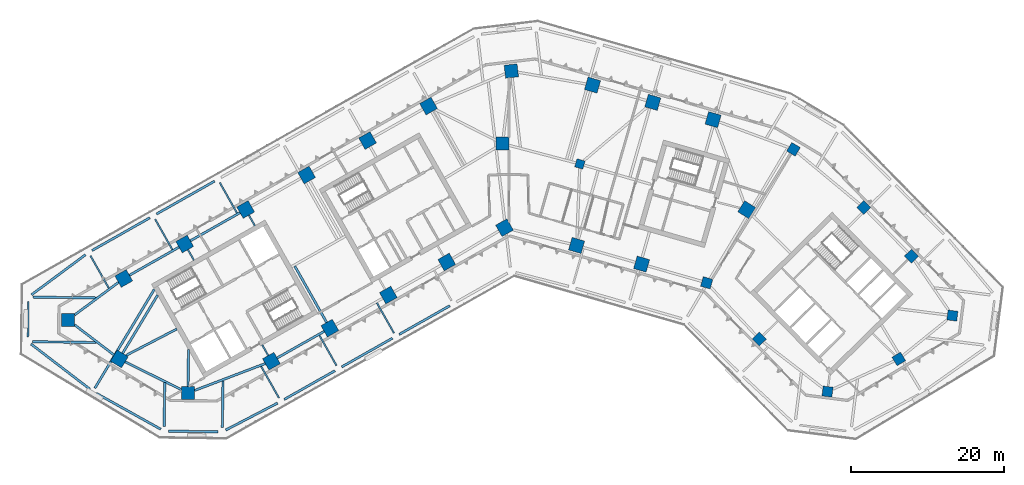
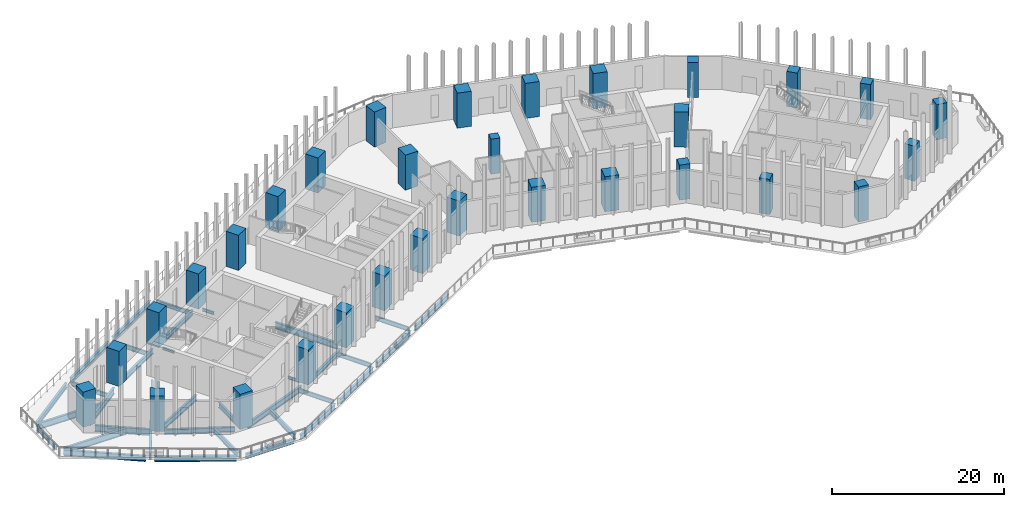
# One storey, part 1 of 17: 36 beams, 31 columns.
"""IFC4 building model written with IfcOpenShell, lengths in metres."""

from ifc_helpers import new_model, si_unit, direction, frame, origin, origin_2d, place, context, subcontext, project, spatial, rectangle, i_section, extrude, material, material_profile, profile_set, type_object, element, save


model = new_model("IFC4")

# Units and contexts
model_context = context("Model", 3, precision=1e-05, world=origin(), true_north=direction((0.0, 1.0)))
body_context = subcontext(model_context, "Body", "Model", "MODEL_VIEW")
ifc_project = project(units=[si_unit("LENGTHUNIT", "METRE"), si_unit("AREAUNIT", "SQUARE_METRE"), si_unit("VOLUMEUNIT", "CUBIC_METRE"), si_unit("PLANEANGLEUNIT", "RADIAN"), si_unit("MASSUNIT", "GRAM", prefix="KILO")], contexts=[model_context])

# Site, building, storey
site_placement = place(None, origin())
site = spatial("IfcSite", under=ifc_project, at=site_placement, CompositionType="ELEMENT")
building_placement = place(site_placement, origin())
building = spatial("IfcBuilding", under=site, at=building_placement, Name="Binnacle Exchange Tower", CompositionType="ELEMENT")
storey_placement = place(building_placement, frame((0.0, 0.0, 26.5)))
storey = spatial("IfcBuildingStorey", under=building, at=storey_placement, Name="L05", CompositionType="ELEMENT", Elevation=26.5)

# Columns
ifc_material_1 = material(Name="Concrete C60/75", Category="concrete")
ifc_material_profile_1 = material_profile(ifc_material_1, rectangle(XDim=1.10009765625, YDim=1.10009765625, at=origin_2d()), Name="Column 1100x1100 C60/75")
ifc_profile_set_1 = profile_set([ifc_material_profile_1], Name="Concrete C60/75")
column_type_1 = type_object("IfcColumnType", Name="Column 1100x1100 C60/75", PredefinedType="COLUMN", material=ifc_profile_set_1)
column_placement = place(storey_placement, frame((9.240966796875, 57.35009765625, 0.0), z_axis=(0.0, 0.0, 1.0), x_axis=(0.961261695938, -0.275637355817, 0.0)))
element("IfcColumn", 1, at=column_placement, inside=storey, type_object=column_type_1, Name="S:COL:C19:L05", PredefinedType="COLUMN", context=body_context, shape_type="SweptSolid", body=[
    extrude(rectangle(XDim=1.10009765625, YDim=1.10009765625, at=origin_2d()), origin(), (0.0, 0.0, 1.0), 5.0),
])
ifc_material_2 = material(Name="Concrete C70/85", Category="concrete")
ifc_material_profile_2 = material_profile(ifc_material_2, rectangle(XDim=1.300048828125, YDim=1.300048828125, at=origin_2d()), Name="Mega column 1300x1300 C70/85")
ifc_profile_set_2 = profile_set([ifc_material_profile_2], Name="Concrete C70/85")
column_type_2 = type_object("IfcColumnType", Name="Mega column 1300x1300 C70/85", PredefinedType="COLUMN", material=ifc_profile_set_2)
for number, where, z_axis, x_axis, name in (
    (2, (37.0849609375, 59.262451171875, 0.0), (0.0, 0.0, 1.0), (-0.859406411501, 0.511293086077, 0.0), "S:COL:MC57:L05"),
    (3, (25.766845703125, 41.85986328125, 0.0), (0.0, 0.0, 1.0), (0.961261695938, -0.275637355817, 0.0), "S:COL:MC56:L05"),
    (4, (32.64111328125, 34.530029296875, 0.0), (0.0, 0.0, 1.0), (0.7009092643, -0.713250449154, 0.0), "S:COL:MC59:L05"),
    (5, (41.519775390625, 27.6748046875, 0.0), (0.0, 0.0, 1.0), (0.99200494968, -0.126198969136, 0.0), "S:COL:MC61:L05"),
    (6, (50.81201171875, 31.930908203125, 0.0), (0.0, 0.0, 1.0), (0.857167300702, 0.51503807491, 0.0), "S:COL:MC63:L05"),
    (7, (57.799072265625, 37.5810546875, 0.0), (0.0, 0.0, 1.0), (0.126198969136, 0.99200494968, 0.0), "S:COL:MC62:L05"),
    (8, (52.466796875, 45.33935546875, 0.0), (0.0, 0.0, 1.0), (-0.7009092643, 0.713250449154, 0.0), "S:COL:MC60:L05"),
    (9, (46.248291015625, 51.667236328125, 0.0), (0.0, 0.0, 1.0), (-0.7009092643, 0.713250449154, 0.0), "S:COL:MC58:L05"),
):
    element("IfcColumn", number, at=place(storey_placement, frame(where, z_axis=z_axis, x_axis=x_axis)), inside=storey, type_object=column_type_2, Name=name, PredefinedType="COLUMN", context=body_context, shape_type="SweptSolid", body=[
        extrude(rectangle(XDim=1.300048828125, YDim=1.300048828125, at=origin_2d()), origin(), (0.0, 0.0, 1.0), 5.0),
    ])
ifc_material_profile_3 = material_profile(ifc_material_2, rectangle(XDim=1.699951171875, YDim=1.699951171875, at=origin_2d()), Name="Mega column 1700x1700 C70/85")
ifc_profile_set_3 = profile_set([ifc_material_profile_3], Name="Concrete C70/85")
column_type_3 = type_object("IfcColumnType", Name="Mega column 1700x1700 C70/85", PredefinedType="COLUMN", material=ifc_profile_set_3)
for number, where, z_axis, x_axis, name in (
    (10, (26.602783203125, 63.12353515625, 0.0), (0.0, 0.0, 1.0), (-0.961261695938, 0.275637355817, 0.0), "S:COL:MC52:L05"),
    (11, (18.746337890625, 65.376220703125, 0.0), (0.0, 0.0, 1.0), (-0.961261695938, 0.275637355817, 0.0), "S:COL:MC50:L05"),
    (12, (10.889892578125, 67.62890625, 0.0), (0.0, 0.0, 1.0), (-0.961261695938, 0.275637355817, 0.0), "S:COL:MC48:L05"),
    (13, (0.300048828125, 69.464111328125, 0.0), (0.0, 0.0, 1.0), (-0.993068456955, -0.117537397458, 0.0), "S:COL:MC47:L05"),
    (14, (-10.4951171875, 64.901611328125, 0.0), (0.0, 0.0, 1.0), (-0.87035569594, -0.492423560103, 0.0), "S:COL:MC38:L05"),
    (15, (-18.44140625, 60.406005859375, 0.0), (0.0, 0.0, 1.0), (-0.87035569594, -0.492423560103, 0.0), "S:COL:MC29:L05"),
    (16, (-26.3876953125, 55.91015625, 0.0), (0.0, 0.0, 1.0), (-0.87035569594, -0.492423560103, 0.0), "S:COL:MC21:L05"),
    (17, (-34.333740234375, 51.414306640625, 0.0), (0.0, 0.0, 1.0), (-0.87035569594, -0.492423560103, 0.0), "S:COL:MC13:L05"),
    (18, (-42.280029296875, 46.918701171875, 0.0), (0.0, 0.0, 1.0), (-0.87035569594, -0.492423560103, 0.0), "S:COL:MC08:L05"),
    (19, (-50.226318359375, 42.4228515625, 0.0), (0.0, 0.0, 1.0), (-0.87035569594, -0.492423560103, 0.0), "S:COL:MC04:L05"),
    (20, (-57.492919921875, 37.02734375, 0.0), (0.0, 0.0, 1.0), (-0.013089595571, -0.999914327574, 0.0), "S:COL:MC02:L05"),
    (21, (-50.81201171875, 31.930908203125, 0.0), (0.0, 0.0, 1.0), (0.857167300702, -0.51503807491, 0.0), "S:COL:MC01:L05"),
    (22, (-41.857666015625, 27.494873046875, 0.0), (0.0, 0.0, 1.0), (0.999914327574, -0.013089595571, 0.0), "S:COL:MC03:L05"),
    (23, (-30.9755859375, 31.63525390625, 0.0), (0.0, 0.0, 1.0), (0.87035569594, 0.492423560103, 0.0), "S:COL:MC07:L05"),
    (24, (-23.35595703125, 35.9462890625, 0.0), (0.0, 0.0, 1.0), (0.87035569594, 0.492423560103, 0.0), "S:COL:MC16:L05"),
    (25, (-15.736328125, 40.257080078125, 0.0), (0.0, 0.0, 1.0), (0.87035569594, 0.492423560103, 0.0), "S:COL:MC24:L05"),
    (26, (-8.116943359375, 44.568115234375, 0.0), (0.0, 0.0, 1.0), (0.87035569594, 0.492423560103, 0.0), "S:COL:MC35:L05"),
    (27, (-0.5908203125, 49.04443359375, 0.0), (0.0, 0.0, 1.0), (0.87035569594, 0.492423560103, 0.0), "S:COL:MC46:L05"),
    (28, (8.8095703125, 46.722412109375, 0.0), (0.0, 0.0, 1.0), (0.961261695938, -0.275637355817, 0.0), "S:COL:MC49:L05"),
    (29, (17.2880859375, 44.291015625, 0.0), (0.0, 0.0, 1.0), (0.961261695938, -0.275637355817, 0.0), "S:COL:MC51:L05"),
    (30, (30.989501953125, 51.38623046875, 0.0), (0.0, 0.0, 1.0), (0.529919264233, 0.848048096156, 0.0), "S:COL:MC55:L05"),
    (31, (-0.85009765625, 60.0, 0.0), (0.0, 0.0, 1.0), (0.0, 1.0, 0.0), "S:COL:MC45:L05"),
):
    element("IfcColumn", number, at=place(storey_placement, frame(where, z_axis=z_axis, x_axis=x_axis)), inside=storey, type_object=column_type_3, Name=name, PredefinedType="COLUMN", context=body_context, shape_type="SweptSolid", body=[
        extrude(rectangle(XDim=1.699951171875, YDim=1.699951171875, at=origin_2d()), origin(), (0.0, 0.0, 1.0), 5.0),
    ])

# Beams
ifc_material_3 = material(Name="Steel S355 (SHN355)", Category="steel")
ifc_material_profile_4 = material_profile(ifc_material_3, i_section(OverallWidth=0.200927734375, OverallDepth=0.506103515625, WebThickness=0.010986328125, FlangeThickness=0.01904296875, FilletRadius=0.02001953125, at=origin_2d()), Name="H 506x201x11x19")
ifc_profile_set_4 = profile_set([ifc_material_profile_4], Name="Steel S355 (SHN355)")
beam_type_1 = type_object("IfcBeamType", Name="Edge girder H 506x201x11x19 Steel S355 (SHN355)", PredefinedType="SPANDREL", material=ifc_profile_set_4)
beam_1_placement = place(storey_placement, frame((-62.71533203125, 34.7666015625, -0.572998046875), z_axis=(0.013051255038, 0.999914828744, 0.0), x_axis=(-0.999914828744, 0.013051255038, 0.0)))
element("IfcBeam", 32, at=beam_1_placement, inside=storey, type_object=beam_type_1, Name="S:BM:edge:L05:014", PredefinedType="SPANDREL", context=body_context, shape_type="SweptSolid", body=[
    extrude(i_section(OverallWidth=0.200927734375, OverallDepth=0.506103515625, WebThickness=0.010986328125, FlangeThickness=0.01904296875, FilletRadius=0.02001953125, at=origin_2d()), origin(), (0.0, 0.0, 1.0), 4.657958984375),
])
ifc_material_profile_5 = material_profile(ifc_material_3, i_section(OverallWidth=0.300048828125, OverallDepth=0.699951171875, WebThickness=0.012939453125, FlangeThickness=0.02392578125, FilletRadius=0.028076171875, at=origin_2d()), Name="H 700x300x13x24")
ifc_profile_set_5 = profile_set([ifc_material_profile_5], Name="Steel S355 (SHN355)")
beam_type_2 = type_object("IfcBeamType", Name="Edge girder H 700x300x13x24 Steel S355 (SHN355)", PredefinedType="SPANDREL", material=ifc_profile_set_5)
beam_2_placement = place(storey_placement, frame((-54.374267578125, 46.06201171875, -0.669921875), z_axis=(0.870345980185, 0.492440732247, 0.0), x_axis=(-0.492440732247, 0.870345980185, 0.0)))
element("IfcBeam", 33, at=beam_2_placement, inside=storey, type_object=beam_type_2, Name="S:BM:edge:L05:018", PredefinedType="SPANDREL", context=body_context, shape_type="SweptSolid", body=[
    extrude(i_section(OverallWidth=0.300048828125, OverallDepth=0.699951171875, WebThickness=0.012939453125, FlangeThickness=0.02392578125, FilletRadius=0.028076171875, at=origin_2d()), origin(), (0.0, 0.0, 1.0), 8.68408203125),
])
beam_3_placement = place(storey_placement, frame((-45.94580078125, 50.830810546875, -0.669921875), z_axis=(0.870370078582, 0.492398138003, 0.0), x_axis=(-0.492398138003, 0.870370078582, 0.0)))
element("IfcBeam", 34, at=beam_3_placement, inside=storey, type_object=beam_type_2, Name="S:BM:edge:L05:021", PredefinedType="SPANDREL", context=body_context, shape_type="SweptSolid", body=[
    extrude(i_section(OverallWidth=0.300048828125, OverallDepth=0.699951171875, WebThickness=0.012939453125, FlangeThickness=0.02392578125, FilletRadius=0.028076171875, at=origin_2d()), origin(), (0.0, 0.0, 1.0), 8.683837890625),
])
beam_4_placement = place(storey_placement, frame((-43.019775390625, 46.5, -0.669921875), z_axis=(-0.870364477798, -0.492408037898, 0.0), x_axis=(0.492408037898, -0.870364477798, 0.0)))
element("IfcBeam", 35, at=beam_4_placement, inside=storey, type_object=beam_type_2, Name="S:BM:edge:L05:023", PredefinedType="SPANDREL", context=body_context, shape_type="SweptSolid", body=[
    extrude(i_section(OverallWidth=0.300048828125, OverallDepth=0.699951171875, WebThickness=0.012939453125, FlangeThickness=0.02392578125, FilletRadius=0.028076171875, at=origin_2d()), origin(), (0.0, 0.0, 1.0), 7.4296875),
])
beam_5_placement = place(storey_placement, frame((-37.95703125, 22.4365234375, -0.669921875), z_axis=(-0.999914291463, 0.013092353811, 0.0), x_axis=(-0.013092353811, -0.999914291463, 0.0)))
element("IfcBeam", 36, at=beam_5_placement, inside=storey, type_object=beam_type_2, Name="S:BM:edge:L05:025", PredefinedType="SPANDREL", context=body_context, shape_type="SweptSolid", body=[
    extrude(i_section(OverallWidth=0.300048828125, OverallDepth=0.699951171875, WebThickness=0.012939453125, FlangeThickness=0.02392578125, FilletRadius=0.028076171875, at=origin_2d()), origin(), (0.0, 0.0, 1.0), 6.433349609375),
])
beam_6_placement = place(storey_placement, frame((-35.073486328125, 50.995849609375, -0.669921875), z_axis=(-0.870372444894, -0.492393955253, 0.0), x_axis=(0.492393955253, -0.870372444894, 0.0)))
element("IfcBeam", 37, at=beam_6_placement, inside=storey, type_object=beam_type_2, Name="S:BM:edge:L05:027", PredefinedType="SPANDREL", context=body_context, shape_type="SweptSolid", body=[
    extrude(i_section(OverallWidth=0.300048828125, OverallDepth=0.699951171875, WebThickness=0.012939453125, FlangeThickness=0.02392578125, FilletRadius=0.028076171875, at=origin_2d()), origin(), (0.0, 0.0, 1.0), 7.429931640625),
])
beam_7_placement = place(storey_placement, frame((-30.23583984375, 32.053955078125, -0.669921875), z_axis=(0.870373276953, 0.492392484473, 0.0), x_axis=(-0.492392484473, 0.870373276953, 0.0)))
element("IfcBeam", 38, at=beam_7_placement, inside=storey, type_object=beam_type_2, Name="S:BM:edge:L05:028", PredefinedType="SPANDREL", context=body_context, shape_type="SweptSolid", body=[
    extrude(i_section(OverallWidth=0.300048828125, OverallDepth=0.699951171875, WebThickness=0.012939453125, FlangeThickness=0.02392578125, FilletRadius=0.028076171875, at=origin_2d()), origin(), (0.0, 0.0, 1.0), 7.0546875),
])
beam_8_placement = place(storey_placement, frame((-30.184326171875, 26.17431640625, -0.669921875), z_axis=(-0.88697979282, -0.461808236315, 0.0), x_axis=(0.461808236315, -0.88697979282, 0.0)))
element("IfcBeam", 39, at=beam_8_placement, inside=storey, type_object=beam_type_2, Name="S:BM:edge:L05:029", PredefinedType="SPANDREL", context=body_context, shape_type="SweptSolid", body=[
    extrude(i_section(OverallWidth=0.300048828125, OverallDepth=0.699951171875, WebThickness=0.012939453125, FlangeThickness=0.02392578125, FilletRadius=0.028076171875, at=origin_2d()), origin(), (0.0, 0.0, 1.0), 7.610107421875),
])
for number, where, z_axis, x_axis, name in (
    (40, (-22.68603515625, 30.396728515625, -0.669921875), (-0.870352907673, -0.492428488316, 0.0), (0.492428488316, -0.870352907673, 0.0), "S:BM:edge:L05:032"),
    (41, (-15.1962890625, 34.63427734375, -0.669921875), (-0.870352907673, -0.492428488316, 0.0), (0.492428488316, -0.870352907673, 0.0), "S:BM:edge:L05:036"),
    (42, (-7.706298828125, 38.871826171875, -0.669921875), (-0.870352907673, -0.492428488316, 0.0), (0.492428488316, -0.870352907673, 0.0), "S:BM:edge:L05:040"),
):
    element("IfcBeam", number, at=place(storey_placement, frame(where, z_axis=z_axis, x_axis=x_axis)), inside=storey, type_object=beam_type_2, Name=name, PredefinedType="SPANDREL", context=body_context, shape_type="SweptSolid", body=[
        extrude(i_section(OverallWidth=0.300048828125, OverallDepth=0.699951171875, WebThickness=0.012939453125, FlangeThickness=0.02392578125, FilletRadius=0.028076171875, at=origin_2d()), origin(), (0.0, 0.0, 1.0), 7.60546875),
    ])
ifc_material_profile_6 = material_profile(ifc_material_3, i_section(OverallWidth=0.302001953125, OverallDepth=0.7080078125, WebThickness=0.014892578125, FlangeThickness=0.028076171875, FilletRadius=0.028076171875, at=origin_2d()), Name="H 708x302x15x28")
ifc_profile_set_6 = profile_set([ifc_material_profile_6], Name="Steel S355 (SHN355)")
beam_type_3 = type_object("IfcBeamType", Name="Edge girder H 708x302x15x28 Steel S355 (SHN355)", PredefinedType="SPANDREL", material=ifc_profile_set_6)
beam_9_placement = place(storey_placement, frame((-62.2421875, 40.302978515625, -0.674072265625), z_axis=(0.803179419827, 0.5957372068, 0.0), x_axis=(-0.5957372068, 0.803179419827, 0.0)))
element("IfcBeam", 43, at=beam_9_placement, inside=storey, type_object=beam_type_3, Name="S:BM:edge:L05:015", PredefinedType="SPANDREL", context=body_context, shape_type="SweptSolid", body=[
    extrude(i_section(OverallWidth=0.302001953125, OverallDepth=0.7080078125, WebThickness=0.014892578125, FlangeThickness=0.028076171875, FilletRadius=0.028076171875, at=origin_2d()), origin(), (0.0, 0.0, 1.0), 8.750244140625),
])
beam_10_placement = place(storey_placement, frame((-50.0478515625, 31.55224609375, -0.674072265625), z_axis=(0.896059216286, -0.443934545749, 0.0), x_axis=(0.443934545749, 0.896059216286, 0.0)))
element("IfcBeam", 44, at=beam_10_placement, inside=storey, type_object=beam_type_3, Name="S:BM:edge:L05:020", PredefinedType="SPANDREL", context=body_context, shape_type="SweptSolid", body=[
    extrude(i_section(OverallWidth=0.302001953125, OverallDepth=0.7080078125, WebThickness=0.014892578125, FlangeThickness=0.028076171875, FilletRadius=0.028076171875, at=origin_2d()), origin(), (0.0, 0.0, 1.0), 8.197509765625),
])
ifc_material_profile_7 = material_profile(ifc_material_3, i_section(OverallWidth=0.300048828125, OverallDepth=0.800048828125, WebThickness=0.013916015625, FlangeThickness=0.02587890625, FilletRadius=0.028076171875, at=origin_2d()), Name="H 800x300x14x26")
ifc_profile_set_7 = profile_set([ifc_material_profile_7], Name="Steel S355 (SHN355)")
beam_type_4 = type_object("IfcBeamType", Name="Edge girder H 800x300x14x26 Steel S355 (SHN355)", PredefinedType="SPANDREL", material=ifc_profile_set_7)
beam_11_placement = place(storey_placement, frame((-54.644287109375, 27.999755859375, -0.719970703125), z_axis=(-0.793871146685, 0.608086015676, 0.0), x_axis=(-0.608086015676, -0.793871146685, 0.0)))
element("IfcBeam", 45, at=beam_11_placement, inside=storey, type_object=beam_type_4, Name="S:BM:edge:L05:017", PredefinedType="SPANDREL", context=body_context, shape_type="SweptSolid", body=[
    extrude(i_section(OverallWidth=0.300048828125, OverallDepth=0.800048828125, WebThickness=0.013916015625, FlangeThickness=0.02587890625, FilletRadius=0.028076171875, at=origin_2d()), origin(), (0.0, 0.0, 1.0), 9.673095703125),
])
beam_12_placement = place(storey_placement, frame((-45.40576171875, 22.771728515625, -0.719970703125), z_axis=(-0.873676660619, 0.486507032518, 0.0), x_axis=(-0.486507032518, -0.873676660619, 0.0)))
element("IfcBeam", 46, at=beam_12_placement, inside=storey, type_object=beam_type_4, Name="S:BM:edge:L05:022", PredefinedType="SPANDREL", context=body_context, shape_type="SweptSolid", body=[
    extrude(i_section(OverallWidth=0.300048828125, OverallDepth=0.800048828125, WebThickness=0.013916015625, FlangeThickness=0.02587890625, FilletRadius=0.028076171875, at=origin_2d()), origin(), (0.0, 0.0, 1.0), 9.616943359375),
])
ifc_material_profile_8 = material_profile(ifc_material_3, i_section(OverallWidth=0.302001953125, OverallDepth=0.80810546875, WebThickness=0.01611328125, FlangeThickness=0.030029296875, FilletRadius=0.028076171875, at=origin_2d()), Name="H 808x302x16x30")
ifc_profile_set_8 = profile_set([ifc_material_profile_8], Name="Steel S355 (SHN355)")
beam_type_5 = type_object("IfcBeamType", Name="Edge girder H 808x302x16x30 Steel S355 (SHN355)", PredefinedType="SPANDREL", material=ifc_profile_set_8)
beam_13_placement = place(storey_placement, frame((-41.00341796875, 27.81982421875, -0.72412109375), z_axis=(0.934628738252, 0.355624973297, 0.0), x_axis=(-0.355624973297, 0.934628738252, 0.0)))
element("IfcBeam", 47, at=beam_13_placement, inside=storey, type_object=beam_type_5, Name="S:BM:edge:L05:024", PredefinedType="SPANDREL", context=body_context, shape_type="SweptSolid", body=[
    extrude(i_section(OverallWidth=0.302001953125, OverallDepth=0.80810546875, WebThickness=0.01611328125, FlangeThickness=0.030029296875, FilletRadius=0.028076171875, at=origin_2d()), origin(), (0.0, 0.0, 1.0), 9.869384765625),
])
ifc_material_profile_9 = material_profile(ifc_material_3, i_section(OverallWidth=0.300048828125, OverallDepth=0.89990234375, WebThickness=0.01611328125, FlangeThickness=0.028076171875, FilletRadius=0.028076171875, at=origin_2d()), Name="H 900x300x16x28")
ifc_profile_set_9 = profile_set([ifc_material_profile_9], Name="Steel S355 (SHN355)")
beam_type_6 = type_object("IfcBeamType", Name="Edge girder H 900x300x16x28 Steel S355 (SHN355)", PredefinedType="SPANDREL", material=ifc_profile_set_9)
beam_14_placement = place(storey_placement, frame((-56.6513671875, 36.38525390625, -0.77001953125), z_axis=(0.795093040263, -0.606487474994, 0.0), x_axis=(0.606487474994, 0.795093040263, 0.0)))
element("IfcBeam", 48, at=beam_14_placement, inside=storey, type_object=beam_type_6, Name="S:BM:edge:L05:016", PredefinedType="SPANDREL", context=body_context, shape_type="SweptSolid", body=[
    extrude(i_section(OverallWidth=0.300048828125, OverallDepth=0.89990234375, WebThickness=0.01611328125, FlangeThickness=0.028076171875, FilletRadius=0.028076171875, at=origin_2d()), origin(), (0.0, 0.0, 1.0), 6.489013671875),
])
beam_15_placement = place(storey_placement, frame((-50.913818359375, 41.912353515625, -0.77001953125), z_axis=(-0.80288535334, -0.59613346609, 0.0), x_axis=(0.59613346609, -0.80288535334, 0.0)))
element("IfcBeam", 49, at=beam_15_placement, inside=storey, type_object=beam_type_6, Name="S:BM:edge:L05:019", PredefinedType="SPANDREL", context=body_context, shape_type="SweptSolid", body=[
    extrude(i_section(OverallWidth=0.300048828125, OverallDepth=0.89990234375, WebThickness=0.01611328125, FlangeThickness=0.028076171875, FilletRadius=0.028076171875, at=origin_2d()), origin(), (0.0, 0.0, 1.0), 7.125244140625),
])
ifc_material_profile_10 = material_profile(ifc_material_3, i_section(OverallWidth=0.199951171875, OverallDepth=0.39990234375, WebThickness=0.008056640625, FlangeThickness=0.012939453125, FilletRadius=0.01611328125, at=origin_2d()), Name="H 400x200x8x13")
ifc_profile_set_10 = profile_set([ifc_material_profile_10], Name="Steel S355 (SHN355)")
beam_type_7 = type_object("IfcBeamType", Name="Floor beam H 400x200x8x13 Steel S355 (SHN355)", PredefinedType="BEAM", material=ifc_profile_set_10)
beam_16_placement = place(storey_placement, frame((-41.861328125, 46.178955078125, -0.52001953125), z_axis=(0.492366981934, -0.870387703901, 0.0), x_axis=(0.870387703901, 0.492366981934, 0.0)))
element("IfcBeam", 50, at=beam_16_placement, inside=storey, type_object=beam_type_7, Name="S:BM:cross:L05:083", PredefinedType="BEAM", context=body_context, shape_type="SweptSolid", body=[
    extrude(i_section(OverallWidth=0.199951171875, OverallDepth=0.39990234375, WebThickness=0.008056640625, FlangeThickness=0.012939453125, FilletRadius=0.01611328125, at=origin_2d()), origin(), (0.0, 0.0, 1.0), 1.584228515625),
])
beam_17_placement = place(storey_placement, frame((-33.915283203125, 50.674560546875, -0.52001953125), z_axis=(0.492483715062, -0.870321659158, 0.0), x_axis=(0.870321659158, 0.492483715062, 0.0)))
element("IfcBeam", 51, at=beam_17_placement, inside=storey, type_object=beam_type_7, Name="S:BM:cross:L05:087", PredefinedType="BEAM", context=body_context, shape_type="SweptSolid", body=[
    extrude(i_section(OverallWidth=0.199951171875, OverallDepth=0.39990234375, WebThickness=0.008056640625, FlangeThickness=0.012939453125, FilletRadius=0.01611328125, at=origin_2d()), origin(), (0.0, 0.0, 1.0), 1.58447265625),
])
beam_18_placement = place(storey_placement, frame((-31.394287109375, 32.375, -0.52001953125), z_axis=(-0.492366981934, 0.870387703901, 0.0), x_axis=(-0.870387703901, -0.492366981934, 0.0)))
element("IfcBeam", 52, at=beam_18_placement, inside=storey, type_object=beam_type_7, Name="S:BM:cross:L05:088", PredefinedType="BEAM", context=body_context, shape_type="SweptSolid", body=[
    extrude(i_section(OverallWidth=0.199951171875, OverallDepth=0.39990234375, WebThickness=0.008056640625, FlangeThickness=0.012939453125, FilletRadius=0.01611328125, at=origin_2d()), origin(), (0.0, 0.0, 1.0), 1.584228515625),
])
ifc_material_profile_11 = material_profile(ifc_material_3, i_section(OverallWidth=0.200927734375, OverallDepth=0.60595703125, WebThickness=0.011962890625, FlangeThickness=0.02001953125, FilletRadius=0.02197265625, at=origin_2d()), Name="H 606x201x12x20")
ifc_profile_set_11 = profile_set([ifc_material_profile_11], Name="Steel S355 (SHN355)")
beam_type_8 = type_object("IfcBeamType", Name="Floor beam H 606x201x12x20 Steel S355 (SHN355)", PredefinedType="BEAM", material=ifc_profile_set_11)
beam_19_placement = place(storey_placement, frame((-46.134765625, 50.1494140625, -0.623046875), z_axis=(0.492392410291, -0.87037331892, 0.0), x_axis=(0.87037331892, 0.492392410291, 0.0)))
element("IfcBeam", 53, at=beam_19_placement, inside=storey, type_object=beam_type_8, Name="S:BM:cross:L05:081", PredefinedType="BEAM", context=body_context, shape_type="SweptSolid", body=[
    extrude(i_section(OverallWidth=0.200927734375, OverallDepth=0.60595703125, WebThickness=0.011962890625, FlangeThickness=0.02001953125, FilletRadius=0.02197265625, at=origin_2d()), origin(), (0.0, 0.0, 1.0), 4.56005859375),
])
beam_20_placement = place(storey_placement, frame((-37.706298828125, 54.917724609375, -0.623046875), z_axis=(0.492415355874, -0.870360337619, 0.0), x_axis=(0.870360337619, 0.492415355874, 0.0)))
element("IfcBeam", 54, at=beam_20_placement, inside=storey, type_object=beam_type_8, Name="S:BM:cross:L05:085", PredefinedType="BEAM", context=body_context, shape_type="SweptSolid", body=[
    extrude(i_section(OverallWidth=0.200927734375, OverallDepth=0.60595703125, WebThickness=0.011962890625, FlangeThickness=0.02001953125, FilletRadius=0.02197265625, at=origin_2d()), origin(), (0.0, 0.0, 1.0), 4.559814453125),
])
for number, where, z_axis, x_axis, name in (
    (55, (-22.4970703125, 31.078125, -0.623046875), (-0.492403272389, 0.870367173864, 0.0), (-0.870367173864, -0.492403272389, 0.0), "S:BM:cross:L05:093"),
    (56, (-15.007080078125, 35.315673828125, -0.623046875), (-0.4924442794, 0.8703439732, 0.0), (-0.8703439732, -0.4924442794, 0.0), "S:BM:cross:L05:096"),
):
    element("IfcBeam", number, at=place(storey_placement, frame(where, z_axis=z_axis, x_axis=x_axis)), inside=storey, type_object=beam_type_8, Name=name, PredefinedType="BEAM", context=body_context, shape_type="SweptSolid", body=[
        extrude(i_section(OverallWidth=0.200927734375, OverallDepth=0.60595703125, WebThickness=0.011962890625, FlangeThickness=0.02001953125, FilletRadius=0.02197265625, at=origin_2d()), origin(), (0.0, 0.0, 1.0), 4.510009765625),
    ])
ifc_material_profile_12 = material_profile(ifc_material_3, i_section(OverallWidth=0.201904296875, OverallDepth=0.612060546875, WebThickness=0.012939453125, FlangeThickness=0.02294921875, FilletRadius=0.02197265625, at=origin_2d()), Name="H 612x202x13x23")
ifc_profile_set_12 = profile_set([ifc_material_profile_12], Name="Steel S355 (SHN355)")
beam_type_9 = type_object("IfcBeamType", Name="Floor beam H 612x202x13x23 Steel S355 (SHN355)", PredefinedType="BEAM", material=ifc_profile_set_12)
beam_21_placement = place(storey_placement, frame((-54.563232421875, 45.380615234375, -0.6259765625), z_axis=(0.492430552239, -0.870351739943, 0.0), x_axis=(0.870351739943, 0.492430552239, 0.0)))
element("IfcBeam", 57, at=beam_21_placement, inside=storey, type_object=beam_type_9, Name="S:BM:cross:L05:078", PredefinedType="BEAM", context=body_context, shape_type="SweptSolid", body=[
    extrude(i_section(OverallWidth=0.201904296875, OverallDepth=0.612060546875, WebThickness=0.012939453125, FlangeThickness=0.02294921875, FilletRadius=0.02197265625, at=origin_2d()), origin(), (0.0, 0.0, 1.0), 4.848388671875),
])
beam_22_placement = place(storey_placement, frame((-29.98681640625, 26.840576171875, -0.6259765625), z_axis=(-0.492417108435, 0.870359346087, 0.0), x_axis=(-0.870359346087, -0.492417108435, 0.0)))
element("IfcBeam", 58, at=beam_22_placement, inside=storey, type_object=beam_type_9, Name="S:BM:cross:L05:089", PredefinedType="BEAM", context=body_context, shape_type="SweptSolid", body=[
    extrude(i_section(OverallWidth=0.201904296875, OverallDepth=0.612060546875, WebThickness=0.012939453125, FlangeThickness=0.02294921875, FilletRadius=0.02197265625, at=origin_2d()), origin(), (0.0, 0.0, 1.0), 4.73876953125),
])
ifc_material_profile_13 = material_profile(ifc_material_3, i_section(OverallWidth=0.300048828125, OverallDepth=0.699951171875, WebThickness=0.012939453125, FlangeThickness=0.02392578125, FilletRadius=0.028076171875, at=origin_2d()), Name="H 700x300x13x24")
ifc_profile_set_13 = profile_set([ifc_material_profile_13], Name="Steel S355 (SHN355)")
beam_type_10 = type_object("IfcBeamType", Name="Floor beam H 700x300x13x24 Steel S355 (SHN355)", PredefinedType="BEAM", material=ifc_profile_set_13)
beam_23_placement = place(storey_placement, frame((-44.9609375, 23.107177734375, -0.669921875), z_axis=(0.013063826795, 0.999914664574, 0.0), x_axis=(-0.999914664574, 0.013063826795, 0.0)))
element("IfcBeam", 59, at=beam_23_placement, inside=storey, type_object=beam_type_10, Name="S:BM:cross:L05:082", PredefinedType="BEAM", context=body_context, shape_type="SweptSolid", body=[
    extrude(i_section(OverallWidth=0.300048828125, OverallDepth=0.699951171875, WebThickness=0.012939453125, FlangeThickness=0.02392578125, FilletRadius=0.028076171875, at=origin_2d()), origin(), (0.0, 0.0, 1.0), 5.7373046875),
])
beam_24_placement = place(storey_placement, frame((-41.8466796875, 28.3447265625, -0.669921875), z_axis=(0.013120628196, 0.999913920853, 0.0), x_axis=(-0.999913920853, 0.013120628196, 0.0)))
element("IfcBeam", 60, at=beam_24_placement, inside=storey, type_object=beam_type_10, Name="S:BM:cross:L05:084", PredefinedType="BEAM", context=body_context, shape_type="SweptSolid", body=[
    extrude(i_section(OverallWidth=0.300048828125, OverallDepth=0.699951171875, WebThickness=0.012939453125, FlangeThickness=0.02392578125, FilletRadius=0.028076171875, at=origin_2d()), origin(), (0.0, 0.0, 1.0), 4.80078125),
])
beam_25_placement = place(storey_placement, frame((-37.37060546875, 23.0078125, -0.669921875), z_axis=(0.013099663551, 0.999914195726, 0.0), x_axis=(-0.999914195726, 0.013099663551, 0.0)))
element("IfcBeam", 61, at=beam_25_placement, inside=storey, type_object=beam_type_10, Name="S:BM:cross:L05:086", PredefinedType="BEAM", context=body_context, shape_type="SweptSolid", body=[
    extrude(i_section(OverallWidth=0.300048828125, OverallDepth=0.699951171875, WebThickness=0.012939453125, FlangeThickness=0.02392578125, FilletRadius=0.028076171875, at=origin_2d()), origin(), (0.0, 0.0, 1.0), 6.07568359375),
])
ifc_material_profile_14 = material_profile(ifc_material_3, i_section(OverallWidth=0.300048828125, OverallDepth=0.89990234375, WebThickness=0.01611328125, FlangeThickness=0.028076171875, FilletRadius=0.028076171875, at=origin_2d()), Name="H 900x300x16x28")
ifc_profile_set_14 = profile_set([ifc_material_profile_14], Name="Steel S355 (SHN355)")
beam_type_11 = type_object("IfcBeamType", Name="Floor beam H 900x300x16x28 Steel S355 (SHN355)", PredefinedType="BEAM", material=ifc_profile_set_14)
beam_26_placement = place(storey_placement, frame((-62.144287109375, 34.180419921875, -0.77001953125), z_axis=(0.999914070306, -0.013109233529, 0.0), x_axis=(0.013109233529, 0.999914070306, 0.0)))
element("IfcBeam", 62, at=beam_26_placement, inside=storey, type_object=beam_type_11, Name="S:BM:cross:L05:076", PredefinedType="BEAM", context=body_context, shape_type="SweptSolid", body=[
    extrude(i_section(OverallWidth=0.300048828125, OverallDepth=0.89990234375, WebThickness=0.01611328125, FlangeThickness=0.028076171875, FilletRadius=0.028076171875, at=origin_2d()), origin(), (0.0, 0.0, 1.0), 8.380615234375),
])
beam_27_placement = place(storey_placement, frame((-62.068115234375, 39.995361328125, -0.77001953125), z_axis=(0.999914190197, -0.013100085584, 0.0), x_axis=(0.013100085584, 0.999914190197, 0.0)))
element("IfcBeam", 63, at=beam_27_placement, inside=storey, type_object=beam_type_11, Name="S:BM:cross:L05:077", PredefinedType="BEAM", context=body_context, shape_type="SweptSolid", body=[
    extrude(i_section(OverallWidth=0.300048828125, OverallDepth=0.89990234375, WebThickness=0.01611328125, FlangeThickness=0.028076171875, FilletRadius=0.028076171875, at=origin_2d()), origin(), (0.0, 0.0, 1.0), 8.274658203125),
])
ifc_material_profile_15 = material_profile(ifc_material_3, i_section(OverallWidth=0.302001953125, OverallDepth=0.912109375, WebThickness=0.01806640625, FlangeThickness=0.033935546875, FilletRadius=0.028076171875, at=origin_2d()), Name="H 912x302x18x34")
ifc_profile_set_15 = profile_set([ifc_material_profile_15], Name="Steel S355 (SHN355)")
beam_type_12 = type_object("IfcBeamType", Name="Floor beam H 912x302x18x34 Steel S355 (SHN355)", PredefinedType="BEAM", material=ifc_profile_set_15)
beam_28_placement = place(storey_placement, frame((-50.374267578125, 32.659423828125, -0.77587890625), z_axis=(0.515042389499, 0.857164708221, 0.0), x_axis=(-0.857164708221, 0.515042389499, 0.0)))
element("IfcBeam", 64, at=beam_28_placement, inside=storey, type_object=beam_type_12, Name="S:BM:cross:L05:080", PredefinedType="BEAM", context=body_context, shape_type="SweptSolid", body=[
    extrude(i_section(OverallWidth=0.302001953125, OverallDepth=0.912109375, WebThickness=0.01806640625, FlangeThickness=0.033935546875, FilletRadius=0.028076171875, at=origin_2d()), origin(), (0.0, 0.0, 1.0), 8.865234375),
])
beam_29_placement = place(storey_placement, frame((-23.774658203125, 36.68603515625, -0.77587890625), z_axis=(-0.492409177884, 0.870363832851, 0.0), x_axis=(-0.870363832851, -0.492409177884, 0.0)))
element("IfcBeam", 65, at=beam_29_placement, inside=storey, type_object=beam_type_12, Name="S:BM:cross:L05:092", PredefinedType="BEAM", context=body_context, shape_type="SweptSolid", body=[
    extrude(i_section(OverallWidth=0.302001953125, OverallDepth=0.912109375, WebThickness=0.01806640625, FlangeThickness=0.033935546875, FilletRadius=0.028076171875, at=origin_2d()), origin(), (0.0, 0.0, 1.0), 8.43408203125),
])
ifc_material_profile_16 = material_profile(ifc_material_3, i_section(OverallWidth=0.302978515625, OverallDepth=0.91796875, WebThickness=0.01904296875, FlangeThickness=0.037109375, FilletRadius=0.028076171875, at=origin_2d()), Name="H 918x303x19x37")
ifc_profile_set_16 = profile_set([ifc_material_profile_16], Name="Steel S355 (SHN355)")
beam_type_13 = type_object("IfcBeamType", Name="Floor beam H 918x303x19x37 Steel S355 (SHN355)", PredefinedType="BEAM", material=ifc_profile_set_16)
beam_30_placement = place(storey_placement, frame((-53.9873046875, 28.122314453125, -0.779052734375), z_axis=(0.515027805522, 0.857173471089, 0.0), x_axis=(-0.857173471089, 0.515027805522, 0.0)))
element("IfcBeam", 66, at=beam_30_placement, inside=storey, type_object=beam_type_13, Name="S:BM:cross:L05:079", PredefinedType="BEAM", context=body_context, shape_type="SweptSolid", body=[
    extrude(i_section(OverallWidth=0.302978515625, OverallDepth=0.91796875, WebThickness=0.01904296875, FlangeThickness=0.037109375, FilletRadius=0.028076171875, at=origin_2d()), origin(), (0.0, 0.0, 1.0), 15.04541015625),
])
ifc_material_profile_17 = material_profile(ifc_material_3, i_section(OverallWidth=0.300048828125, OverallDepth=0.800048828125, WebThickness=0.013916015625, FlangeThickness=0.02587890625, FilletRadius=0.028076171875, at=origin_2d()), Name="H 800x300x14x26")
ifc_profile_set_17 = profile_set([ifc_material_profile_17], Name="Steel S355 (SHN355)")
beam_type_14 = type_object("IfcBeamType", Name="Spine girder H 800x300x14x26 Steel S355 (SHN355)", PredefinedType="BEAM", material=ifc_profile_set_17)
beam_31_placement = place(storey_placement, frame((-49.927734375, 32.391357421875, -0.719970703125), z_axis=(0.886979965344, 0.461807904954, 0.0), x_axis=(-0.461807904954, 0.886979965344, 0.0)))
element("IfcBeam", 67, at=beam_31_placement, inside=storey, type_object=beam_type_14, Name="S:BM:spine:L05:001", PredefinedType="BEAM", context=body_context, shape_type="SweptSolid", body=[
    extrude(i_section(OverallWidth=0.300048828125, OverallDepth=0.800048828125, WebThickness=0.013916015625, FlangeThickness=0.02587890625, FilletRadius=0.028076171875, at=origin_2d()), origin(), (0.0, 0.0, 1.0), 7.463623046875),
])

save(model, "model.ifc")
